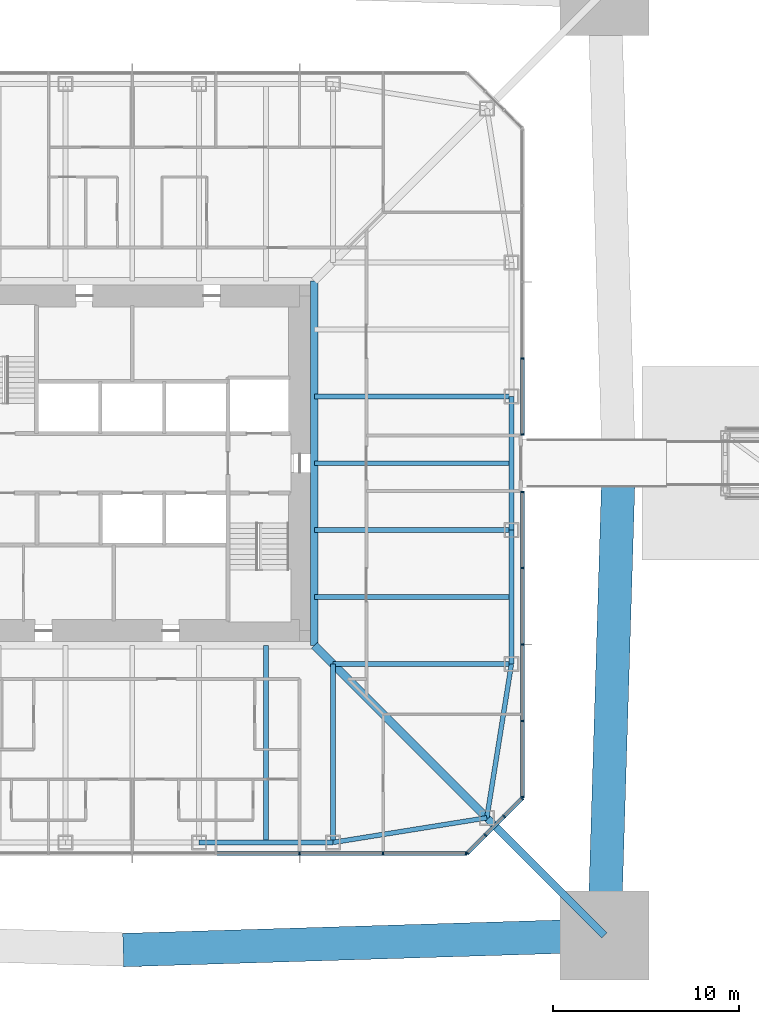
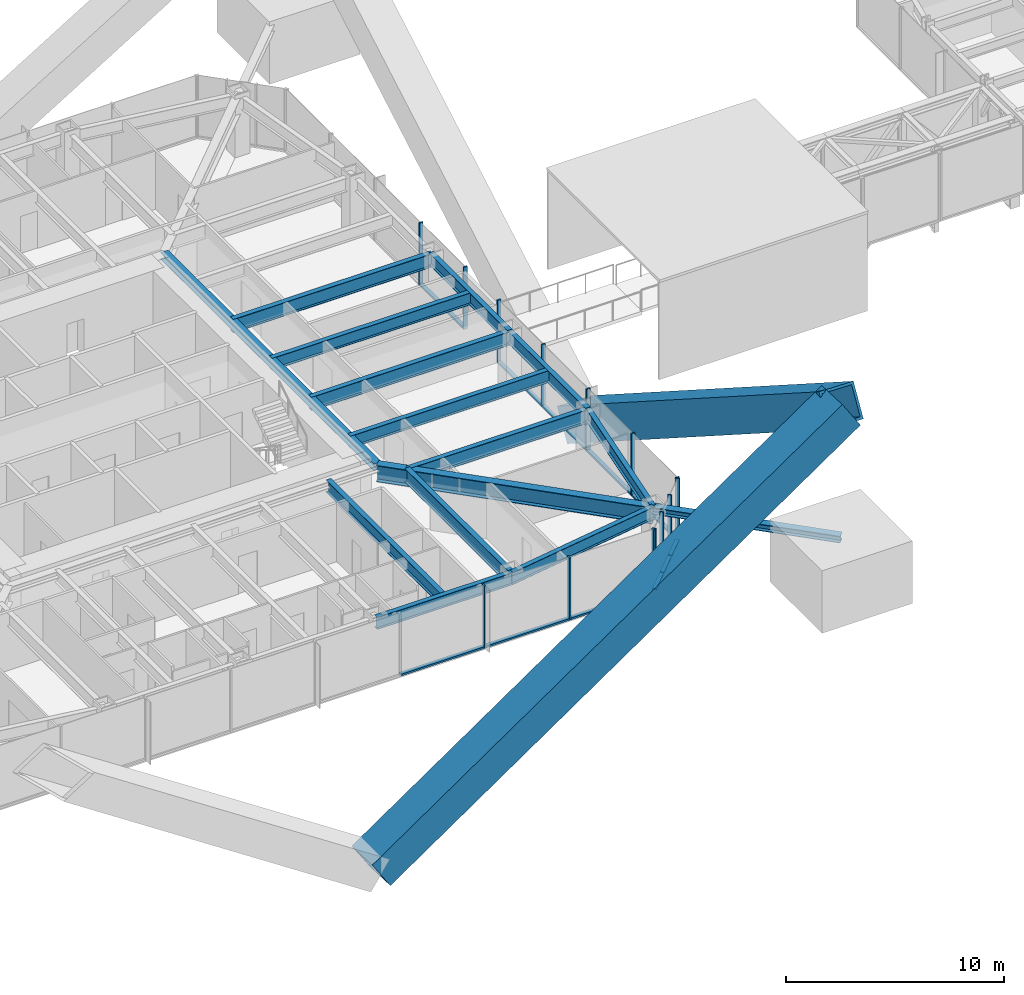
# One storey, part 5 of 28: 28 members, 14 beams, 4 elements without a shape of their own.
"""IFC4 building model written with IfcOpenShell, lengths in metres."""

from ifc_helpers import new_model, si_unit, direction, frame, origin, origin_2d, place, context, subcontext, project, spatial, rectangle, hollow_rectangle, i_section, extrude, material, material_profile, profile_set, type_object, element, aggregate, save


model = new_model("IFC4")

# Units and contexts
model_context = context("Model", 3, precision=1e-05, world=origin(), true_north=direction((0.0, 1.0)))
body_context = subcontext(model_context, "Body", "Model", "MODEL_VIEW")
ifc_project = project(units=[si_unit("LENGTHUNIT", "METRE"), si_unit("AREAUNIT", "SQUARE_METRE"), si_unit("VOLUMEUNIT", "CUBIC_METRE"), si_unit("PLANEANGLEUNIT", "RADIAN"), si_unit("MASSUNIT", "GRAM", prefix="KILO")], contexts=[model_context])

# Site, building, storey
site_placement = place(None, origin())
site = spatial("IfcSite", under=ifc_project, at=site_placement, CompositionType="ELEMENT")
building_placement = place(site_placement, origin())
building = spatial("IfcBuilding", under=site, at=building_placement, Name="Iwan Alto Co-Living Towers", CompositionType="ELEMENT")
storey_placement = place(building_placement, frame((0.0, 0.0, 98.0)))
storey = spatial("IfcBuildingStorey", under=building, at=storey_placement, Name="L26", CompositionType="ELEMENT", Elevation=98.0)

# Curtain wall, members
ifc_material_1 = material(Name="Bronze aluminium unitised frame", Category="aluminium")
curtain_wall_type_1 = type_object("IfcCurtainWallType", Name="CURTAIN WALL CW-A", PredefinedType="NOTDEFINED", material=ifc_material_1)
curtain_wall_1_placement = place(storey_placement, origin())
curtain_wall_1 = element("IfcCurtainWall", 1, at=curtain_wall_1_placement, inside=storey, type_object=curtain_wall_type_1, Name="T1 curtain wall S L26", PredefinedType="NOTDEFINED")
ifc_material_2 = material(Name="Aluminium 6063-T6 bronze anodised", Category="aluminium")
ifc_material_profile_1 = material_profile(ifc_material_2, rectangle(XDim=0.199951171875, YDim=0.080078125, at=origin_2d()), Name="AL 80X200")
ifc_profile_set_1 = profile_set([ifc_material_profile_1], Name="Aluminium 6063-T6 bronze anodised")
member_type_1 = type_object("IfcMemberType", Name="CW-A MULLION 80X200", PredefinedType="MULLION", material=ifc_profile_set_1)
member_1_placement = place(storey_placement, frame((9.0, -21.0, 0.0), z_axis=(0.0, 0.0, 1.0), x_axis=(0.0, 1.0, 0.0)))
member_1 = element("IfcMember", 2, at=member_1_placement, type_object=member_type_1, Name="CW-A mullion 7", PredefinedType="MULLION", context=body_context, shape_type="SweptSolid", body=[
    extrude(rectangle(XDim=0.199951171875, YDim=0.080078125, at=origin_2d()), origin(), (0.0, 0.0, 1.0), 3.5),
])
member_2_placement = place(storey_placement, frame((13.5, -21.0, 0.0), z_axis=(0.0, 0.0, 1.0), x_axis=(0.0, 1.0, 0.0)))
member_2 = element("IfcMember", 3, at=member_2_placement, type_object=member_type_1, Name="CW-A mullion 8", PredefinedType="MULLION", context=body_context, shape_type="SweptSolid", body=[
    extrude(rectangle(XDim=0.199951171875, YDim=0.080078125, at=origin_2d()), origin(), (0.0, 0.0, 1.0), 3.5),
])
member_3_placement = place(storey_placement, frame((17.9599609375, -21.0, 0.0), z_axis=(0.0, 0.0, 1.0), x_axis=(0.0, 1.0, 0.0)))
member_3 = element("IfcMember", 4, at=member_3_placement, type_object=member_type_1, Name="CW-A mullion 9", PredefinedType="MULLION", context=body_context, shape_type="SweptSolid", body=[
    extrude(rectangle(XDim=0.199951171875, YDim=0.080078125, at=origin_2d()), origin(), (0.0, 0.0, 1.0), 3.5),
])

curtain_wall_2_placement = place(storey_placement, origin())
curtain_wall_2 = element("IfcCurtainWall", 5, at=curtain_wall_2_placement, inside=storey, type_object=curtain_wall_type_1, Name="T1 curtain wall E L26 part 1", PredefinedType="NOTDEFINED")
member_4_placement = place(storey_placement, frame((21.0, -17.9599609375, 0.0), z_axis=(0.0, 0.0, 1.0), x_axis=(-1.0, 0.0, 0.0)))
member_4 = element("IfcMember", 6, at=member_4_placement, type_object=member_type_1, Name="CW-A mullion 1", PredefinedType="MULLION", context=body_context, shape_type="SweptSolid", body=[
    extrude(rectangle(XDim=0.199951171875, YDim=0.080078125, at=origin_2d()), origin(), (0.0, 0.0, 1.0), 3.5),
])
member_5_placement = place(storey_placement, frame((21.0, -13.875, 0.0), z_axis=(0.0, 0.0, 1.0), x_axis=(-1.0, 0.0, 0.0)))
member_5 = element("IfcMember", 7, at=member_5_placement, type_object=member_type_1, Name="CW-A mullion 2", PredefinedType="MULLION", context=body_context, shape_type="SweptSolid", body=[
    extrude(rectangle(XDim=0.199951171875, YDim=0.080078125, at=origin_2d()), origin(), (0.0, 0.0, 1.0), 3.5),
])
member_6_placement = place(storey_placement, frame((21.0, -9.75, 0.0), z_axis=(0.0, 0.0, 1.0), x_axis=(-1.0, 0.0, 0.0)))
member_6 = element("IfcMember", 8, at=member_6_placement, type_object=member_type_1, Name="CW-A mullion 3", PredefinedType="MULLION", context=body_context, shape_type="SweptSolid", body=[
    extrude(rectangle(XDim=0.199951171875, YDim=0.080078125, at=origin_2d()), origin(), (0.0, 0.0, 1.0), 3.5),
])
member_7_placement = place(storey_placement, frame((21.0, -5.625, 0.0), z_axis=(0.0, 0.0, 1.0), x_axis=(-1.0, 0.0, 0.0)))
member_7 = element("IfcMember", 9, at=member_7_placement, type_object=member_type_1, Name="CW-A mullion 4", PredefinedType="MULLION", context=body_context, shape_type="SweptSolid", body=[
    extrude(rectangle(XDim=0.199951171875, YDim=0.080078125, at=origin_2d()), origin(), (0.0, 0.0, 1.0), 3.5),
])
member_8_placement = place(storey_placement, frame((21.0, -1.5400390625, 0.0), z_axis=(0.0, 0.0, 1.0), x_axis=(-1.0, 0.0, 0.0)))
member_8 = element("IfcMember", 10, at=member_8_placement, type_object=member_type_1, Name="CW-A mullion 5", PredefinedType="MULLION", context=body_context, shape_type="SweptSolid", body=[
    extrude(rectangle(XDim=0.199951171875, YDim=0.080078125, at=origin_2d()), origin(), (0.0, 0.0, 1.0), 3.5),
])

curtain_wall_3_placement = place(storey_placement, origin())
curtain_wall_3 = element("IfcCurtainWall", 11, at=curtain_wall_3_placement, inside=storey, type_object=curtain_wall_type_1, Name="T1 curtain wall E L26 part 2", PredefinedType="NOTDEFINED")
member_9_placement = place(storey_placement, frame((21.0, 1.5400390625, 0.0), z_axis=(0.0, 0.0, 1.0), x_axis=(-1.0, 0.0, 0.0)))
member_9 = element("IfcMember", 12, at=member_9_placement, type_object=member_type_1, Name="CW-A mullion 1", PredefinedType="MULLION", context=body_context, shape_type="SweptSolid", body=[
    extrude(rectangle(XDim=0.199951171875, YDim=0.080078125, at=origin_2d()), origin(), (0.0, 0.0, 1.0), 3.5),
])
member_10_placement = place(storey_placement, frame((21.0, 5.625, 0.0), z_axis=(0.0, 0.0, 1.0), x_axis=(-1.0, 0.0, 0.0)))
member_10 = element("IfcMember", 13, at=member_10_placement, type_object=member_type_1, Name="CW-A mullion 2", PredefinedType="MULLION", context=body_context, shape_type="SweptSolid", body=[
    extrude(rectangle(XDim=0.199951171875, YDim=0.080078125, at=origin_2d()), origin(), (0.0, 0.0, 1.0), 3.5),
])

# Member
ifc_material_3 = material(Name="Aluminium 6063-T6 bronze anodised", Category="aluminium")
ifc_material_profile_2 = material_profile(ifc_material_3, rectangle(XDim=0.199951171875, YDim=0.10009765625, at=origin_2d()), Name="AL 200X100")
ifc_profile_set_2 = profile_set([ifc_material_profile_2], Name="Aluminium 6063-T6 bronze anodised")
member_type_2 = type_object("IfcMemberType", Name="CW-A TRANSOM 200X100", PredefinedType="USERDEFINED", material=ifc_profile_set_2)
member_11_placement = place(storey_placement, frame((4.5400390625, -21.0, 0.050048828125), z_axis=(1.0, 0.0, 0.0), x_axis=(0.0, 1.0, 0.0)))
member_11 = element("IfcMember", 14, at=member_11_placement, type_object=member_type_2, Name="CW-A transom 6.1", ObjectType="TRANSOM", PredefinedType="USERDEFINED", context=body_context, shape_type="SweptSolid", body=[
    extrude(rectangle(XDim=0.199951171875, YDim=0.10009765625, at=origin_2d()), origin(), (0.0, 0.0, 1.0), 4.419921875),
])

member_12_placement = place(storey_placement, frame((9.0400390625, -21.0, 0.050048828125), z_axis=(1.0, 0.0, 0.0), x_axis=(0.0, 1.0, 0.0)))
member_12 = element("IfcMember", 15, at=member_12_placement, type_object=member_type_2, Name="CW-A transom 7.1", ObjectType="TRANSOM", PredefinedType="USERDEFINED", context=body_context, shape_type="SweptSolid", body=[
    extrude(rectangle(XDim=0.199951171875, YDim=0.10009765625, at=origin_2d()), origin(), (0.0, 0.0, 1.0), 4.419921875),
])

member_13_placement = place(storey_placement, frame((13.5400390625, -21.0, 0.050048828125), z_axis=(1.0, 0.0, 0.0), x_axis=(0.0, 1.0, 0.0)))
member_13 = element("IfcMember", 16, at=member_13_placement, type_object=member_type_2, Name="CW-A transom 8.1", ObjectType="TRANSOM", PredefinedType="USERDEFINED", context=body_context, shape_type="SweptSolid", body=[
    extrude(rectangle(XDim=0.199951171875, YDim=0.10009765625, at=origin_2d()), origin(), (0.0, 0.0, 1.0), 4.3798828125),
])

aggregate(curtain_wall_1, [member_1, member_2, member_3, member_11, member_12, member_13])

member_14_placement = place(storey_placement, frame((21.0, -17.919921875, 0.050048828125), z_axis=(0.0, 1.0, 0.0), x_axis=(-1.0, 0.0, 0.0)))
member_14 = element("IfcMember", 17, at=member_14_placement, type_object=member_type_2, Name="CW-A transom 1.1", ObjectType="TRANSOM", PredefinedType="USERDEFINED", context=body_context, shape_type="SweptSolid", body=[
    extrude(rectangle(XDim=0.199951171875, YDim=0.10009765625, at=origin_2d()), origin(), (0.0, 0.0, 1.0), 4.0048828125),
])

member_15_placement = place(storey_placement, frame((21.0, -13.8349609375, 0.050048828125), z_axis=(0.0, 1.0, 0.0), x_axis=(-1.0, 0.0, 0.0)))
member_15 = element("IfcMember", 18, at=member_15_placement, type_object=member_type_2, Name="CW-A transom 2.1", ObjectType="TRANSOM", PredefinedType="USERDEFINED", context=body_context, shape_type="SweptSolid", body=[
    extrude(rectangle(XDim=0.199951171875, YDim=0.10009765625, at=origin_2d()), origin(), (0.0, 0.0, 1.0), 4.044921875),
])

member_16_placement = place(storey_placement, frame((21.0, -9.7099609375, 0.050048828125), z_axis=(0.0, 1.0, 0.0), x_axis=(-1.0, 0.0, 0.0)))
member_16 = element("IfcMember", 19, at=member_16_placement, type_object=member_type_2, Name="CW-A transom 3.1", ObjectType="TRANSOM", PredefinedType="USERDEFINED", context=body_context, shape_type="SweptSolid", body=[
    extrude(rectangle(XDim=0.199951171875, YDim=0.10009765625, at=origin_2d()), origin(), (0.0, 0.0, 1.0), 4.044921875),
])

member_17_placement = place(storey_placement, frame((21.0, -5.5849609375, 0.050048828125), z_axis=(0.0, 1.0, 0.0), x_axis=(-1.0, 0.0, 0.0)))
member_17 = element("IfcMember", 20, at=member_17_placement, type_object=member_type_2, Name="CW-A transom 4.1", ObjectType="TRANSOM", PredefinedType="USERDEFINED", context=body_context, shape_type="SweptSolid", body=[
    extrude(rectangle(XDim=0.199951171875, YDim=0.10009765625, at=origin_2d()), origin(), (0.0, 0.0, 1.0), 4.0048828125),
])

aggregate(curtain_wall_2, [member_4, member_5, member_6, member_7, member_8, member_14, member_15, member_16, member_17])

member_18_placement = place(storey_placement, frame((21.0, 1.580078125, 0.050048828125), z_axis=(0.0, 1.0, 0.0), x_axis=(-1.0, 0.0, 0.0)))
member_18 = element("IfcMember", 21, at=member_18_placement, type_object=member_type_2, Name="CW-A transom 1.1", ObjectType="TRANSOM", PredefinedType="USERDEFINED", context=body_context, shape_type="SweptSolid", body=[
    extrude(rectangle(XDim=0.199951171875, YDim=0.10009765625, at=origin_2d()), origin(), (0.0, 0.0, 1.0), 4.0048828125),
])

aggregate(curtain_wall_3, [member_9, member_10, member_18])

# Curtain wall, members
ifc_material_4 = material(Name="Bronze aluminium unitised frame", Category="aluminium")
curtain_wall_type_2 = type_object("IfcCurtainWallType", Name="CURTAIN WALL CW-B", PredefinedType="NOTDEFINED", material=ifc_material_4)
curtain_wall_4_placement = place(storey_placement, origin())
curtain_wall_4 = element("IfcCurtainWall", 22, at=curtain_wall_4_placement, inside=storey, type_object=curtain_wall_type_2, Name="T1 chamfer curtain wall SE L26", PredefinedType="NOTDEFINED")
ifc_material_5 = material(Name="Aluminium 6063-T6 bronze anodised", Category="aluminium")
ifc_material_profile_3 = material_profile(ifc_material_5, rectangle(XDim=0.199951171875, YDim=0.080078125, at=origin_2d()), Name="AL 80X200")
ifc_profile_set_3 = profile_set([ifc_material_profile_3], Name="Aluminium 6063-T6 bronze anodised")
member_type_3 = type_object("IfcMemberType", Name="CW-B MULLION 80X200", PredefinedType="MULLION", material=ifc_profile_set_3)
member_19_placement = place(storey_placement, frame((18.0283203125, -20.9716796875, 0.0), z_axis=(0.0, 0.0, 1.0), x_axis=(-0.707106781187, 0.707106781187, 0.0)))
member_19 = element("IfcMember", 23, at=member_19_placement, type_object=member_type_3, Name="CW-B mullion 1", PredefinedType="MULLION", context=body_context, shape_type="SweptSolid", body=[
    extrude(rectangle(XDim=0.199951171875, YDim=0.080078125, at=origin_2d()), origin(), (0.0, 0.0, 1.0), 3.5),
])
member_20_placement = place(storey_placement, frame((19.0, -20.0, 0.0), z_axis=(0.0, 0.0, 1.0), x_axis=(-0.707106781187, 0.707106781187, 0.0)))
member_20 = element("IfcMember", 24, at=member_20_placement, type_object=member_type_3, Name="CW-B mullion 2", PredefinedType="MULLION", context=body_context, shape_type="SweptSolid", body=[
    extrude(rectangle(XDim=0.199951171875, YDim=0.080078125, at=origin_2d()), origin(), (0.0, 0.0, 1.0), 3.5),
])
member_21_placement = place(storey_placement, frame((20.0, -19.0, 0.0), z_axis=(0.0, 0.0, 1.0), x_axis=(-0.707106781187, 0.707106781187, 0.0)))
member_21 = element("IfcMember", 25, at=member_21_placement, type_object=member_type_3, Name="CW-B mullion 3", PredefinedType="MULLION", context=body_context, shape_type="SweptSolid", body=[
    extrude(rectangle(XDim=0.199951171875, YDim=0.080078125, at=origin_2d()), origin(), (0.0, 0.0, 1.0), 3.5),
])
member_22_placement = place(storey_placement, frame((20.9716796875, -18.0283203125, 0.0), z_axis=(0.0, 0.0, 1.0), x_axis=(-0.707106781187, 0.707106781187, 0.0)))
member_22 = element("IfcMember", 26, at=member_22_placement, type_object=member_type_3, Name="CW-B mullion 4", PredefinedType="MULLION", context=body_context, shape_type="SweptSolid", body=[
    extrude(rectangle(XDim=0.199951171875, YDim=0.080078125, at=origin_2d()), origin(), (0.0, 0.0, 1.0), 3.5),
])
ifc_material_6 = material(Name="Aluminium 6063-T6 bronze anodised", Category="aluminium")
ifc_material_profile_4 = material_profile(ifc_material_6, rectangle(XDim=0.199951171875, YDim=0.10009765625, at=origin_2d()), Name="AL 200X100")
ifc_profile_set_4 = profile_set([ifc_material_profile_4], Name="Aluminium 6063-T6 bronze anodised")
member_type_4 = type_object("IfcMemberType", Name="CW-B TRANSOM 200X100", PredefinedType="USERDEFINED", material=ifc_profile_set_4)
member_23_placement = place(storey_placement, frame((18.056640625, -20.943359375, 0.050048828125), z_axis=(0.707106781187, 0.707106781187, 0.0), x_axis=(-0.707106781187, 0.707106781187, 0.0)))
member_23 = element("IfcMember", 27, at=member_23_placement, type_object=member_type_4, Name="CW-B transom 1.1", ObjectType="TRANSOM", PredefinedType="USERDEFINED", context=body_context, shape_type="SweptSolid", body=[
    extrude(rectangle(XDim=0.199951171875, YDim=0.10009765625, at=origin_2d()), origin(), (0.0, 0.0, 1.0), 1.2939453125),
])
member_24_placement = place(storey_placement, frame((19.0283203125, -19.9716796875, 0.050048828125), z_axis=(0.707106781187, 0.707106781187, 0.0), x_axis=(-0.707106781187, 0.707106781187, 0.0)))
member_24 = element("IfcMember", 28, at=member_24_placement, type_object=member_type_4, Name="CW-B transom 2.1", ObjectType="TRANSOM", PredefinedType="USERDEFINED", context=body_context, shape_type="SweptSolid", body=[
    extrude(rectangle(XDim=0.199951171875, YDim=0.10009765625, at=origin_2d()), origin(), (0.0, 0.0, 1.0), 1.334228515625),
])
member_25_placement = place(storey_placement, frame((20.0283203125, -18.9716796875, 0.050048828125), z_axis=(0.707106781187, 0.707106781187, 0.0), x_axis=(-0.707106781187, 0.707106781187, 0.0)))
member_25 = element("IfcMember", 29, at=member_25_placement, type_object=member_type_4, Name="CW-B transom 3.1", ObjectType="TRANSOM", PredefinedType="USERDEFINED", context=body_context, shape_type="SweptSolid", body=[
    extrude(rectangle(XDim=0.199951171875, YDim=0.10009765625, at=origin_2d()), origin(), (0.0, 0.0, 1.0), 1.2939453125),
])
aggregate(curtain_wall_4, [member_19, member_20, member_21, member_22, member_23, member_24, member_25])

# Beams
ifc_material_7 = material(Name="Steel ASTM A992 Gr 50", Category="steel")
ifc_material_profile_5 = material_profile(ifc_material_7, i_section(OverallWidth=0.398681640625, OverallDepth=0.385986328125, WebThickness=0.02099609375, FlangeThickness=0.033203125, at=origin_2d()), Name="W14X176")
ifc_profile_set_5 = profile_set([ifc_material_profile_5], Name="Steel ASTM A992 Gr 50")
beam_type_1 = type_object("IfcBeamType", Name="T1 CORE LEDGER BEAM W14X176", PredefinedType="BEAM", material=ifc_profile_set_5)
beam_1_placement = place(storey_placement, frame((9.79931640625, -9.79931640625, 3.076904296875), z_axis=(0.0, 1.0, 0.0), x_axis=(-1.0, 0.0, 0.0)))
element("IfcBeam", 30, at=beam_1_placement, inside=storey, type_object=beam_type_1, Name="T1 core ledger beam E L27", PredefinedType="BEAM", context=body_context, shape_type="SweptSolid", body=[
    extrude(i_section(OverallWidth=0.398681640625, OverallDepth=0.385986328125, WebThickness=0.02099609375, FlangeThickness=0.033203125, at=origin_2d()), origin(), (0.0, 0.0, 1.0), 19.5986328125),
])
ifc_material_8 = material(Name="Steel ASTM A992 Gr 50", Category="steel")
ifc_material_profile_6 = material_profile(ifc_material_8, i_section(OverallWidth=0.419189453125, OverallDepth=0.927001953125, WebThickness=0.019287109375, FlangeThickness=0.031982421875, at=origin_2d()), Name="W36X231")
ifc_profile_set_6 = profile_set([ifc_material_profile_6], Name="Steel ASTM A992 Gr 50")
beam_type_2 = type_object("IfcBeamType", Name="T1 CORNER GIRDER W36X231", PredefinedType="BEAM", material=ifc_profile_set_6)
beam_2_placement = place(storey_placement, frame((19.07568359375, -19.07568359375, 2.806396484375), z_axis=(-0.707106781187, 0.707106781187, 0.0), x_axis=(-0.707106781187, -0.707106781187, 0.0)))
element("IfcBeam", 31, at=beam_2_placement, inside=storey, type_object=beam_type_2, Name="T1 corner girder CSE L27", PredefinedType="BEAM", context=body_context, shape_type="SweptSolid", body=[
    extrude(i_section(OverallWidth=0.419189453125, OverallDepth=0.927001953125, WebThickness=0.019287109375, FlangeThickness=0.031982421875, at=origin_2d()), origin(), (0.0, 0.0, 1.0), 13.11865234375),
])
ifc_material_9 = material(Name="Steel ASTM A992 Gr 50", Category="steel")
ifc_material_profile_7 = material_profile(ifc_material_9, i_section(OverallWidth=0.25390625, OverallDepth=0.683349609375, WebThickness=0.012451171875, FlangeThickness=0.018798828125, at=origin_2d()), Name="W27X94")
ifc_profile_set_7 = profile_set([ifc_material_profile_7], Name="Steel ASTM A992 Gr 50")
beam_type_3 = type_object("IfcBeamType", Name="T1 EDGE BEAM W27X94", PredefinedType="BEAM", material=ifc_profile_set_7)
beam_3_placement = place(storey_placement, frame((3.60009765625, -20.39990234375, 2.928466796875), z_axis=(1.0, 0.0, 0.0), x_axis=(0.0, 1.0, 0.0)))
element("IfcBeam", 32, at=beam_3_placement, inside=storey, type_object=beam_type_3, Name="T1 edge beam S3 L27", PredefinedType="BEAM", context=body_context, shape_type="SweptSolid", body=[
    extrude(i_section(OverallWidth=0.25390625, OverallDepth=0.683349609375, WebThickness=0.012451171875, FlangeThickness=0.018798828125, at=origin_2d()), origin(), (0.0, 0.0, 1.0), 7.199951171875),
])
for number, where, z_axis, x_axis, name in (
    (33, (10.800048828125, -20.39990234375, 2.928466796875), (0.987438450439, 0.158004134737, 0.0), (-0.158004134737, 0.987438450439, 0.0), "T1 edge beam S4 L27"),
    (34, (19.07568359375, -19.07568359375, 2.928466796875), (0.158004134737, 0.987438450439, 0.0), (-0.987438450439, 0.158004134737, 0.0), "T1 edge beam CSE L27"),
):
    element("IfcBeam", number, at=place(storey_placement, frame(where, z_axis=z_axis, x_axis=x_axis)), inside=storey, type_object=beam_type_3, Name=name, PredefinedType="BEAM", context=body_context, shape_type="SweptSolid", body=[
        extrude(i_section(OverallWidth=0.25390625, OverallDepth=0.683349609375, WebThickness=0.012451171875, FlangeThickness=0.018798828125, at=origin_2d()), origin(), (0.0, 0.0, 1.0), 8.380859375),
    ])
beam_4_placement = place(storey_placement, frame((20.39990234375, -10.800048828125, 2.928466796875), z_axis=(0.0, 1.0, 0.0), x_axis=(-1.0, 0.0, 0.0)))
element("IfcBeam", 35, at=beam_4_placement, inside=storey, type_object=beam_type_3, Name="T1 edge beam E1 L27", PredefinedType="BEAM", context=body_context, shape_type="SweptSolid", body=[
    extrude(i_section(OverallWidth=0.25390625, OverallDepth=0.683349609375, WebThickness=0.012451171875, FlangeThickness=0.018798828125, at=origin_2d()), origin(), (0.0, 0.0, 1.0), 7.199951171875),
])
beam_5_placement = place(storey_placement, frame((20.39990234375, -3.60009765625, 2.928466796875), z_axis=(0.0, 1.0, 0.0), x_axis=(-1.0, 0.0, 0.0)))
element("IfcBeam", 36, at=beam_5_placement, inside=storey, type_object=beam_type_3, Name="T1 edge beam E2 L27", PredefinedType="BEAM", context=body_context, shape_type="SweptSolid", body=[
    extrude(i_section(OverallWidth=0.25390625, OverallDepth=0.683349609375, WebThickness=0.012451171875, FlangeThickness=0.018798828125, at=origin_2d()), origin(), (0.0, 0.0, 1.0), 7.2001953125),
])

# Members
ifc_material_10 = material(Name="Steel ASTM A572 Gr 42", Category="steel")
ifc_material_profile_8 = material_profile(ifc_material_10, hollow_rectangle(XDim=1.800048828125, YDim=1.800048828125, WallThickness=0.1298828125, at=origin_2d()), Name="BOX 1800X1800X130")
ifc_profile_set_8 = profile_set([ifc_material_profile_8], Name="Steel ASTM A572 Gr 42")
member_type_5 = type_object("IfcMemberType", Name="T1 MEGA BRACE BOX 1800X1800X130", PredefinedType="BRACE", material=ifc_profile_set_8)
for number, where, z_axis, x_axis, name in (
    (37, (0.0, -26.175537109375, -5.98095703125), (0.838605576524, 0.025608430733, 0.544136835087), (-0.030522691262, 0.999534074116, 0.0), "T1 mega brace Z2A S 1 upper"),
    (38, (26.175537109375, 0.0, -5.98095703125), (-0.025608430733, -0.838605576524, 0.544136835087), (0.999534074116, -0.030522691262, 0.0), "T1 mega brace Z2A E 2 upper"),
):
    element("IfcMember", number, at=place(storey_placement, frame(where, z_axis=z_axis, x_axis=x_axis)), inside=storey, type_object=member_type_5, Name=name, PredefinedType="BRACE", context=body_context, shape_type="SweptSolid", body=[
        extrude(hollow_rectangle(XDim=1.800048828125, YDim=1.800048828125, WallThickness=0.1298828125, at=origin_2d()), origin(), (0.0, 0.0, 1.0), 30.288330078125),
    ])
ifc_material_11 = material(Name="Steel ASTM A992 Gr 50", Category="steel")
ifc_material_profile_9 = material_profile(ifc_material_11, i_section(OverallWidth=0.393798828125, OverallDepth=0.3759765625, WebThickness=0.017333984375, FlangeThickness=0.027587890625, at=origin_2d()), Name="W14X145")
ifc_profile_set_9 = profile_set([ifc_material_profile_9], Name="Steel ASTM A992 Gr 50")
member_type_6 = type_object("IfcMemberType", Name="T1 MEGA COLUMN FLOOR TIE W14X145", PredefinedType="STRUT", material=ifc_profile_set_9)
member_26_placement = place(storey_placement, frame((25.39990234375, -25.39990234375, 3.08203125), z_axis=(-0.707106781187, 0.707106781187, 0.0), x_axis=(-0.707106781187, -0.707106781187, 0.0)))
element("IfcMember", 39, at=member_26_placement, inside=storey, type_object=member_type_6, Name="T1 mega column floor tie SE L27", PredefinedType="STRUT", context=body_context, shape_type="SweptSolid", body=[
    extrude(i_section(OverallWidth=0.393798828125, OverallDepth=0.3759765625, WebThickness=0.017333984375, FlangeThickness=0.027587890625, at=origin_2d()), origin(), (0.0, 0.0, 1.0), 8.94384765625),
])

# Beams
ifc_material_12 = material(Name="Steel ASTM A992 Gr 50", Category="steel")
ifc_material_profile_10 = material_profile(ifc_material_12, i_section(OverallWidth=0.2666015625, OverallDepth=0.761962890625, WebThickness=0.014404296875, FlangeThickness=0.021484375, at=origin_2d()), Name="W30X116")
ifc_profile_set_10 = profile_set([ifc_material_profile_10], Name="Steel ASTM A992 Gr 50")
beam_type_4 = type_object("IfcBeamType", Name="T1 RADIAL BEAM W30X116", PredefinedType="BEAM", material=ifc_profile_set_10)
for number, where, z_axis, x_axis, name in (
    (40, (10.800048828125, -20.39990234375, 2.888916015625), (0.0, 1.0, 0.0), (-1.0, 0.0, 0.0), "T1 radial beam S4 L27"),
    (41, (20.39990234375, -10.800048828125, 2.888916015625), (-1.0, 0.0, 0.0), (0.0, -1.0, 0.0), "T1 radial beam E1 L27"),
):
    element("IfcBeam", number, at=place(storey_placement, frame(where, z_axis=z_axis, x_axis=x_axis)), inside=storey, type_object=beam_type_4, Name=name, PredefinedType="BEAM", context=body_context, shape_type="SweptSolid", body=[
        extrude(i_section(OverallWidth=0.2666015625, OverallDepth=0.761962890625, WebThickness=0.014404296875, FlangeThickness=0.021484375, at=origin_2d()), origin(), (0.0, 0.0, 1.0), 9.599853515625),
    ])
for number, where, z_axis, x_axis, name in (
    (42, (20.39990234375, -3.60009765625, 2.888916015625), (-1.0, 0.0, 0.0), (0.0, -1.0, 0.0), "T1 radial beam E2 L27"),
    (43, (20.39990234375, 3.60009765625, 2.888916015625), (-1.0, 0.0, 0.0), (0.0, -1.0, 0.0), "T1 radial beam E3 L27"),
):
    element("IfcBeam", number, at=place(storey_placement, frame(where, z_axis=z_axis, x_axis=x_axis)), inside=storey, type_object=beam_type_4, Name=name, PredefinedType="BEAM", context=body_context, shape_type="SweptSolid", body=[
        extrude(i_section(OverallWidth=0.2666015625, OverallDepth=0.761962890625, WebThickness=0.014404296875, FlangeThickness=0.021484375, at=origin_2d()), origin(), (0.0, 0.0, 1.0), 10.6005859375),
    ])
ifc_material_13 = material(Name="Steel ASTM A992 Gr 50", Category="steel")
ifc_material_profile_11 = material_profile(ifc_material_13, i_section(OverallWidth=0.25390625, OverallDepth=0.683349609375, WebThickness=0.012451171875, FlangeThickness=0.018798828125, at=origin_2d()), Name="W27X94")
ifc_profile_set_11 = profile_set([ifc_material_profile_11], Name="Steel ASTM A992 Gr 50")
beam_type_5 = type_object("IfcBeamType", Name="T1 SECONDARY BEAM W27X94", PredefinedType="JOIST", material=ifc_profile_set_11)
for number, where, z_axis, x_axis, name in (
    (44, (7.199951171875, -20.39990234375, 2.928466796875), (0.0, 1.0, 0.0), (-1.0, 0.0, 0.0), "T1 secondary beam S3 L27"),
    (45, (20.39990234375, -7.199951171875, 2.928466796875), (-1.0, 0.0, 0.0), (0.0, -1.0, 0.0), "T1 secondary beam E1 L27"),
    (46, (20.39990234375, 0.0, 2.928466796875), (-1.0, 0.0, 0.0), (0.0, -1.0, 0.0), "T1 secondary beam E2 L27"),
):
    element("IfcBeam", number, at=place(storey_placement, frame(where, z_axis=z_axis, x_axis=x_axis)), inside=storey, type_object=beam_type_5, Name=name, PredefinedType="JOIST", context=body_context, shape_type="SweptSolid", body=[
        extrude(i_section(OverallWidth=0.25390625, OverallDepth=0.683349609375, WebThickness=0.012451171875, FlangeThickness=0.018798828125, at=origin_2d()), origin(), (0.0, 0.0, 1.0), 10.6005859375),
    ])

save(model, "model.ifc")
